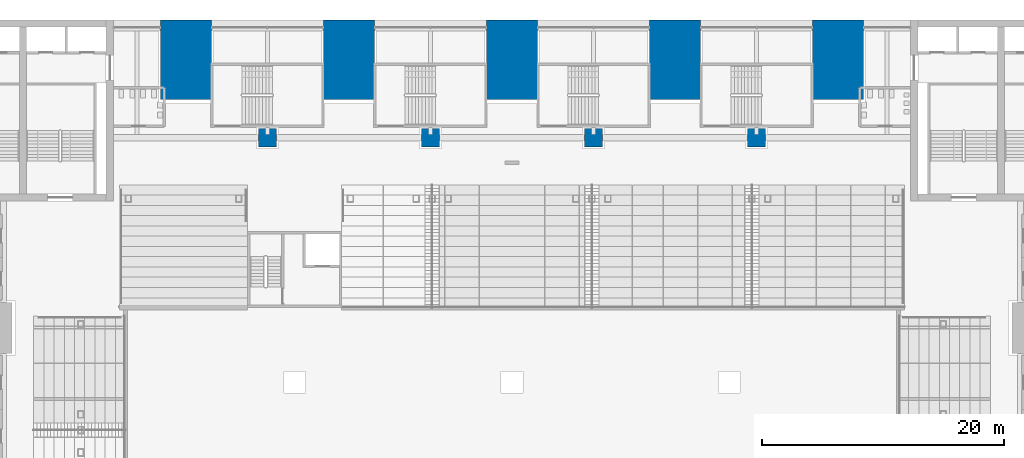
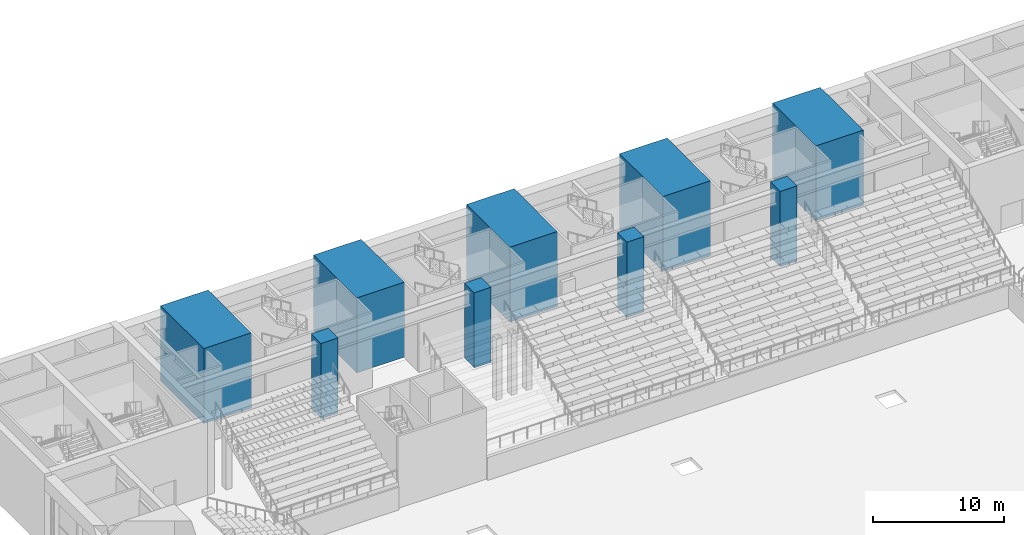
# One storey, part 3 of 62: 9 columns.
"""IFC4 building model written with IfcOpenShell, lengths in metres."""

from ifc_helpers import new_model, si_unit, direction, frame, origin, origin_2d, place, context, subcontext, project, spatial, rectangle, extrude, material, material_profile, profile_set, type_object, element, save


model = new_model("IFC4")

# Units and contexts
model_context = context("Model", 3, precision=1e-05, world=origin(), true_north=direction((0.0, 1.0)))
body_context = subcontext(model_context, "Body", "Model", "MODEL_VIEW")
ifc_project = project(units=[si_unit("LENGTHUNIT", "METRE"), si_unit("AREAUNIT", "SQUARE_METRE"), si_unit("VOLUMEUNIT", "CUBIC_METRE"), si_unit("PLANEANGLEUNIT", "RADIAN"), si_unit("MASSUNIT", "GRAM", prefix="KILO")], contexts=[model_context])

# Site, building, storey
site_placement = place(None, origin())
site = spatial("IfcSite", under=ifc_project, at=site_placement, CompositionType="ELEMENT")
building_placement = place(site_placement, origin())
building = spatial("IfcBuilding", under=site, at=building_placement, Name="Corbelhall Arena Tower", CompositionType="ELEMENT")
storey_placement = place(building_placement, frame((0.0, 0.0, 12.0)))
storey = spatial("IfcBuildingStorey", under=building, at=storey_placement, Name="L01", CompositionType="ELEMENT", Elevation=12.0)

# Columns
ifc_material = material(Name="Concrete C80/95", Category="concrete")
ifc_material_profile_1 = material_profile(ifc_material, rectangle(XDim=4.199951171875, YDim=6.60009765625, at=origin_2d()))
ifc_profile_set_1 = profile_set([ifc_material_profile_1], Name="Concrete C80/95")
column_type_1 = type_object("IfcColumnType", Name="PO-PIER-L01", PredefinedType="COLUMN", material=ifc_profile_set_1)
for number, where, z_axis, x_axis, name in (
    (1, (-27.0, 35.699951171875, 0.0), (0.0, 0.0, 1.0), (1.0, 0.0, 0.0), "PIER N-27.0 L01"),
    (2, (-13.5, 35.699951171875, 0.0), (0.0, 0.0, 1.0), (1.0, 0.0, 0.0), "PIER N-13.5 L01"),
    (3, (0.0, 35.699951171875, 0.0), (0.0, 0.0, 1.0), (1.0, 0.0, 0.0), "PIER N+0.0 L01"),
    (4, (13.5, 35.699951171875, 0.0), (0.0, 0.0, 1.0), (1.0, 0.0, 0.0), "PIER N+13.5 L01"),
    (5, (27.0, 35.699951171875, 0.0), (0.0, 0.0, 1.0), (1.0, 0.0, 0.0), "PIER N+27.0 L01"),
):
    element("IfcColumn", number, at=place(storey_placement, frame(where, z_axis=z_axis, x_axis=x_axis)), inside=storey, type_object=column_type_1, Name=name, PredefinedType="COLUMN", context=body_context, shape_type="SweptSolid", body=[
        extrude(rectangle(XDim=4.199951171875, YDim=6.60009765625, at=origin_2d()), origin(), (0.0, 0.0, 1.0), 7.0),
    ])
ifc_material_profile_2 = material_profile(ifc_material, rectangle(XDim=1.5, YDim=1.5, at=origin_2d()))
ifc_profile_set_2 = profile_set([ifc_material_profile_2], Name="Concrete C80/95")
column_type_2 = type_object("IfcColumnType", Name="PO-RINGCOL-1500", PredefinedType="COLUMN", material=ifc_profile_set_2)
for number, where, z_axis, x_axis, name in (
    (6, (-20.25, 29.25, 0.0), (0.0, 0.0, 1.0), (1.0, 0.0, 0.0), "RING COLUMN -20.25 +29.25 L01"),
    (7, (-6.75, 29.25, 0.0), (0.0, 0.0, 1.0), (1.0, 0.0, 0.0), "RING COLUMN -6.75 +29.25 L01"),
    (8, (6.75, 29.25, 0.0), (0.0, 0.0, 1.0), (1.0, 0.0, 0.0), "RING COLUMN +6.75 +29.25 L01"),
    (9, (20.25, 29.25, 0.0), (0.0, 0.0, 1.0), (1.0, 0.0, 0.0), "RING COLUMN +20.25 +29.25 L01"),
):
    element("IfcColumn", number, at=place(storey_placement, frame(where, z_axis=z_axis, x_axis=x_axis)), inside=storey, type_object=column_type_2, Name=name, PredefinedType="COLUMN", context=body_context, shape_type="SweptSolid", body=[
        extrude(rectangle(XDim=1.5, YDim=1.5, at=origin_2d()), origin(), (0.0, 0.0, 1.0), 7.0),
    ])

save(model, "model.ifc")
